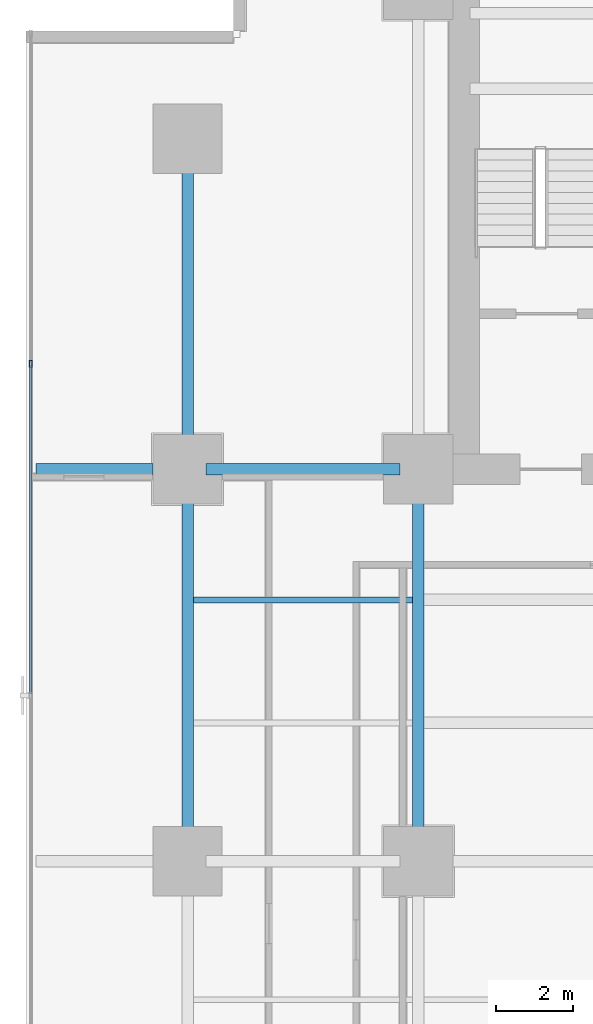
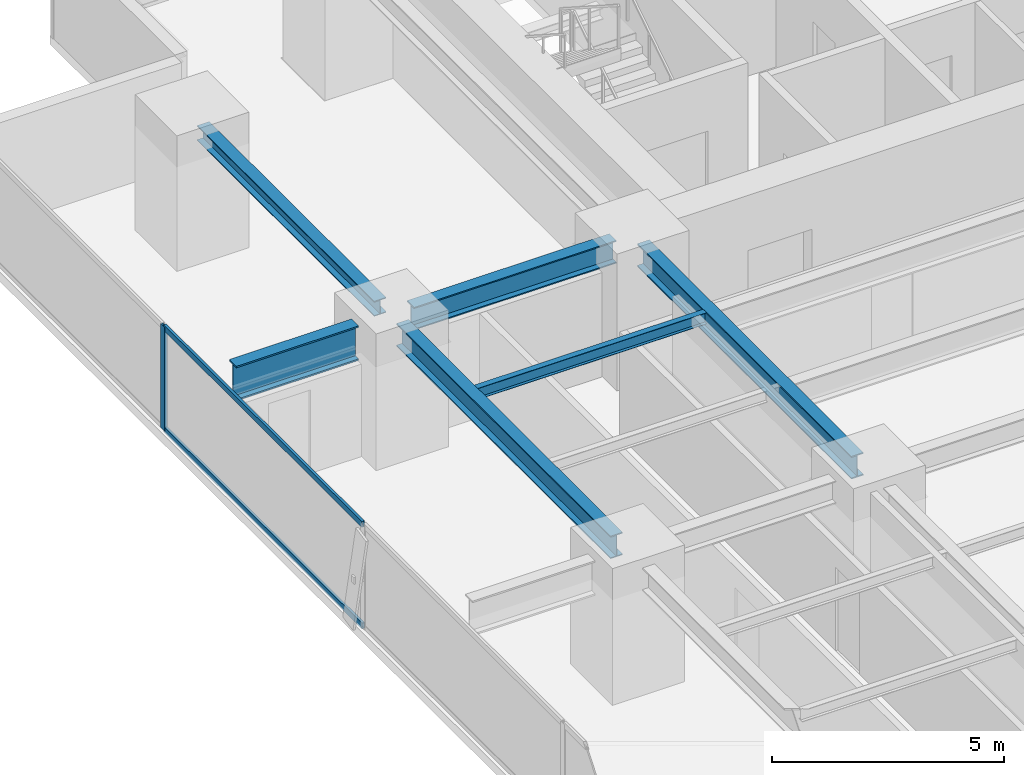
# One storey, part 16 of 34: 6 beams, 3 members, 1 element without a shape of its own.
"""IFC4 building model written with IfcOpenShell, lengths in metres."""

from ifc_helpers import new_model, si_unit, direction, frame, origin, origin_2d, place, context, subcontext, project, spatial, hollow_rectangle, i_section, extrude, source, transform, mapped, material, layer, layer_set, material_profile, profile_set, type_object, element, aggregate, save


model = new_model("IFC4")

# Units and contexts
model_context = context("Model", 3, precision=1e-05, world=origin(), true_north=direction((0.0, 1.0)))
body_context = subcontext(model_context, "Body", "Model", "MODEL_VIEW")
ifc_project = project(units=[si_unit("LENGTHUNIT", "METRE"), si_unit("AREAUNIT", "SQUARE_METRE"), si_unit("VOLUMEUNIT", "CUBIC_METRE"), si_unit("PLANEANGLEUNIT", "RADIAN"), si_unit("MASSUNIT", "GRAM", prefix="KILO")], contexts=[model_context])

# Site, building, storey
site_placement = place(None, origin())
site = spatial("IfcSite", under=ifc_project, at=site_placement, CompositionType="ELEMENT")
building_placement = place(site_placement, origin())
building = spatial("IfcBuilding", under=site, at=building_placement, Name="Sumidabori Civic Tower", CompositionType="ELEMENT")
storey_placement = place(building_placement, frame((0.0, 0.0, 56.0)))
storey = spatial("IfcBuildingStorey", under=building, at=storey_placement, Name="L14", CompositionType="ELEMENT", Elevation=56.0)

# Beams
ifc_material_1 = material(Name="Steel SN490", Category="steel")
ifc_material_profile_1 = material_profile(ifc_material_1, i_section(OverallWidth=0.300048828125, OverallDepth=0.60009765625, WebThickness=0.015380859375, FlangeThickness=0.030029296875, at=origin_2d()), Name="HE 600 B")
ifc_profile_set_1 = profile_set([ifc_material_profile_1], Name="Steel SN490")
beam_type_1 = type_object("IfcBeamType", Name="BM-GIRD-600", PredefinedType="BEAM", material=ifc_profile_set_1)
shared_shape_1 = source(origin(), body_context, "Body", "SweptSolid", [
    extrude(i_section(OverallWidth=0.300048828125, OverallDepth=0.60009765625, WebThickness=0.015380859375, FlangeThickness=0.030029296875, at=origin_2d()), origin(), (0.0, 0.0, 1.0), 5.0400390625),
])
beam_1_placement = place(storey_placement, frame((-22.320068359375, 10.199951171875, 3.06005859375), z_axis=(1.0, 0.0, 0.0), x_axis=(0.0, 1.0, 0.0)))
element("IfcBeam", 1, at=beam_1_placement, inside=storey, type_object=beam_type_1, Name="Primary Girder L14 GX-19", PredefinedType="BEAM", context=body_context, shape_type="MappedRepresentation", body=[
    mapped(shared_shape_1, transform((0.0, 0.0, 0.0), x_axis=(1.0, 0.0, 0.0), y_axis=(0.0, 1.0, 0.0), z_axis=(0.0, 0.0, 1.0), scale=1.0)),
])
shared_shape_2 = source(origin(), body_context, "Body", "SweptSolid", [
    extrude(i_section(OverallWidth=0.300048828125, OverallDepth=0.60009765625, WebThickness=0.015380859375, FlangeThickness=0.030029296875, at=origin_2d()), origin(), (0.0, 0.0, 1.0), 9.239990234375),
])
for number, where, z_axis, x_axis, name in (
    (2, (-22.800048828125, 0.47998046875, 3.06005859375), (0.0, 1.0, 0.0), (-1.0, 0.0, 0.0), "Primary Girder L14 GY-23"),
    (3, (-16.800048828125, 0.47998046875, 3.06005859375), (0.0, 1.0, 0.0), (-1.0, 0.0, 0.0), "Primary Girder L14 GY-27"),
):
    element("IfcBeam", number, at=place(storey_placement, frame(where, z_axis=z_axis, x_axis=x_axis)), inside=storey, type_object=beam_type_1, Name=name, PredefinedType="BEAM", context=body_context, shape_type="MappedRepresentation", body=[
        mapped(shared_shape_2, transform((0.0, 0.0, 0.0), x_axis=(1.0, 0.0, 0.0), y_axis=(0.0, 1.0, 0.0), z_axis=(0.0, 0.0, 1.0), scale=1.0)),
    ])
ifc_material_profile_2 = material_profile(ifc_material_1, i_section(OverallWidth=0.300048828125, OverallDepth=0.39990234375, WebThickness=0.013427734375, FlangeThickness=0.02392578125, at=origin_2d()), Name="HE 400 B")
ifc_profile_set_2 = profile_set([ifc_material_profile_2], Name="Steel SN490")
beam_type_2 = type_object("IfcBeamType", Name="BM-GIRD-400", PredefinedType="BEAM", material=ifc_profile_set_2)
shared_shape_3 = source(origin(), body_context, "Body", "SweptSolid", [
    extrude(i_section(OverallWidth=0.300048828125, OverallDepth=0.39990234375, WebThickness=0.013427734375, FlangeThickness=0.02392578125, at=origin_2d()), origin(), (0.0, 0.0, 1.0), 7.64013671875),
])
beam_2_placement = place(storey_placement, frame((-22.800048828125, 10.679931640625, 3.159912109375), z_axis=(0.0, 1.0, 0.0), x_axis=(-1.0, 0.0, 0.0)))
element("IfcBeam", 4, at=beam_2_placement, inside=storey, type_object=beam_type_2, Name="Primary Girder L14 GY-24", PredefinedType="BEAM", context=body_context, shape_type="MappedRepresentation", body=[
    mapped(shared_shape_3, transform((0.0, 0.0, 0.0), x_axis=(1.0, 0.0, 0.0), y_axis=(0.0, 1.0, 0.0), z_axis=(0.0, 0.0, 1.0), scale=1.0)),
])
ifc_material_profile_3 = material_profile(ifc_material_1, i_section(OverallWidth=0.302001953125, OverallDepth=0.909912109375, WebThickness=0.02099609375, FlangeThickness=0.0400390625, at=origin_2d()), Name="HE 900 M")
ifc_profile_set_3 = profile_set([ifc_material_profile_3], Name="Steel SN490")
beam_type_3 = type_object("IfcBeamType", Name="BM-Z1-EDGE", PredefinedType="SPANDREL", material=ifc_profile_set_3)
shared_shape_4 = source(origin(), body_context, "Body", "SweptSolid", [
    extrude(i_section(OverallWidth=0.302001953125, OverallDepth=0.909912109375, WebThickness=0.02099609375, FlangeThickness=0.0400390625, at=origin_2d()), origin(), (0.0, 0.0, 1.0), 3.050048828125),
])
beam_3_placement = place(storey_placement, frame((-26.75, 10.199951171875, 2.905029296875), z_axis=(1.0, 0.0, 0.0), x_axis=(0.0, 1.0, 0.0)))
element("IfcBeam", 5, at=beam_3_placement, inside=storey, type_object=beam_type_3, Name="Perimeter Overhang Beam L14 W-48", PredefinedType="SPANDREL", context=body_context, shape_type="MappedRepresentation", body=[
    mapped(shared_shape_4, transform((0.0, 0.0, 0.0), x_axis=(1.0, 0.0, 0.0), y_axis=(0.0, 1.0, 0.0), z_axis=(0.0, 0.0, 1.0), scale=1.0)),
])
ifc_material_profile_4 = material_profile(ifc_material_1, i_section(OverallWidth=0.14990234375, OverallDepth=0.300048828125, WebThickness=0.007080078125, FlangeThickness=0.0107421875, at=origin_2d()), Name="IPE 300")
ifc_profile_set_4 = profile_set([ifc_material_profile_4], Name="Steel SN490")
beam_type_4 = type_object("IfcBeamType", Name="BM-JST-300", PredefinedType="JOIST", material=ifc_profile_set_4)
shared_shape_5 = source(origin(), body_context, "Body", "SweptSolid", [
    extrude(i_section(OverallWidth=0.14990234375, OverallDepth=0.300048828125, WebThickness=0.007080078125, FlangeThickness=0.0107421875, at=origin_2d()), origin(), (0.0, 0.0, 1.0), 5.699951171875),
])
beam_4_placement = place(storey_placement, frame((-22.64990234375, 6.800048828125, 3.2099609375), z_axis=(1.0, 0.0, 0.0), x_axis=(0.0, 1.0, 0.0)))
element("IfcBeam", 6, at=beam_4_placement, inside=storey, type_object=beam_type_4, Name="Outer Bay Floor Joist L14 JSTO-55", PredefinedType="JOIST", context=body_context, shape_type="MappedRepresentation", body=[
    mapped(shared_shape_5, transform((0.0, 0.0, 0.0), x_axis=(1.0, 0.0, 0.0), y_axis=(0.0, 1.0, 0.0), z_axis=(0.0, 0.0, 1.0), scale=1.0)),
])

# Curtain wall, members
ifc_material_2 = material(Name="Anodised Bronze Aluminium AW-6063-T6", Category="aluminium")
ifc_layer = layer(ifc_material_2, 0.179931640625, Name="Anodised Bronze Aluminium AW-6063-T6")
ifc_layer_set = layer_set([ifc_layer], Name="Anodised Bronze Aluminium AW-6063-T6")
curtain_wall_type = type_object("IfcCurtainWallType", Name="CW-SYS-2", PredefinedType="NOTDEFINED", material=ifc_layer_set)
curtain_wall_placement = place(storey_placement, origin())
curtain_wall = element("IfcCurtainWall", 7, at=curtain_wall_placement, inside=storey, type_object=curtain_wall_type, Name="Curtain Wall CW:L14:R10", PredefinedType="NOTDEFINED")
ifc_material_profile_5 = material_profile(ifc_material_2, hollow_rectangle(XDim=0.070068359375, YDim=0.179931640625, WallThickness=0.006103515625, at=origin_2d()), Name="ALU MULLION 180x70")
ifc_profile_set_5 = profile_set([ifc_material_profile_5], Name="Anodised Bronze Aluminium AW-6063-T6")
member_type_1 = type_object("IfcMemberType", Name="CW-MUL-180", PredefinedType="MULLION", material=ifc_profile_set_5)
shared_shape_6 = source(origin(), body_context, "Body", "SweptSolid", [
    extrude(hollow_rectangle(XDim=0.070068359375, YDim=0.179931640625, WallThickness=0.006103515625, at=origin_2d()), origin(), (0.0, 0.0, 1.0), 2.739990234375),
])
member_1_placement = place(storey_placement, frame((-26.8798828125, 12.94189453125, 0.0), z_axis=(0.0, 0.0, 1.0), x_axis=(1.0, 0.0, 0.0)))
member_1 = element("IfcMember", 8, at=member_1_placement, type_object=member_type_1, Name="CW-2 mullion 2", PredefinedType="MULLION", context=body_context, shape_type="MappedRepresentation", body=[
    mapped(shared_shape_6, transform((0.0, 0.0, 0.0), x_axis=(1.0, 0.0, 0.0), y_axis=(0.0, 1.0, 0.0), z_axis=(0.0, 0.0, 1.0), scale=1.0)),
])
ifc_material_profile_6 = material_profile(ifc_material_2, hollow_rectangle(XDim=0.06494140625, YDim=0.14990234375, WallThickness=0.0048828125, at=origin_2d()), Name="ALU TRANSOM 150x65")
ifc_profile_set_6 = profile_set([ifc_material_profile_6], Name="Anodised Bronze Aluminium AW-6063-T6")
member_type_2 = type_object("IfcMemberType", Name="CW-TRN-150", PredefinedType="USERDEFINED", material=ifc_profile_set_6)
shared_shape_7 = source(origin(), body_context, "Body", "SweptSolid", [
    extrude(hollow_rectangle(XDim=0.06494140625, YDim=0.14990234375, WallThickness=0.0048828125, at=origin_2d()), origin(), (0.0, 0.0, 1.0), 8.557861328125),
])
member_2_placement = place(storey_placement, frame((-26.8798828125, 12.906982421875, 0.032470703125), z_axis=(0.0, -1.0, 0.0), x_axis=(1.0, 0.0, 0.0)))
member_2 = element("IfcMember", 9, at=member_2_placement, type_object=member_type_2, Name="CW-2 transom 2.1", ObjectType="TRANSOM", PredefinedType="USERDEFINED", context=body_context, shape_type="MappedRepresentation", body=[
    mapped(shared_shape_7, transform((0.0, 0.0, 0.0), x_axis=(1.0, 0.0, 0.0), y_axis=(0.0, 1.0, 0.0), z_axis=(0.0, 0.0, 1.0), scale=1.0)),
])
member_3_placement = place(storey_placement, frame((-26.8798828125, 12.906982421875, 2.70751953125), z_axis=(0.0, -1.0, 0.0), x_axis=(1.0, 0.0, 0.0)))
member_3 = element("IfcMember", 10, at=member_3_placement, type_object=member_type_2, Name="CW-2 transom 2.2", ObjectType="TRANSOM", PredefinedType="USERDEFINED", context=body_context, shape_type="MappedRepresentation", body=[
    mapped(shared_shape_7, transform((0.0, 0.0, 0.0), x_axis=(1.0, 0.0, 0.0), y_axis=(0.0, 1.0, 0.0), z_axis=(0.0, 0.0, 1.0), scale=1.0)),
])
aggregate(curtain_wall, [member_1, member_2, member_3])

save(model, "model.ifc")
